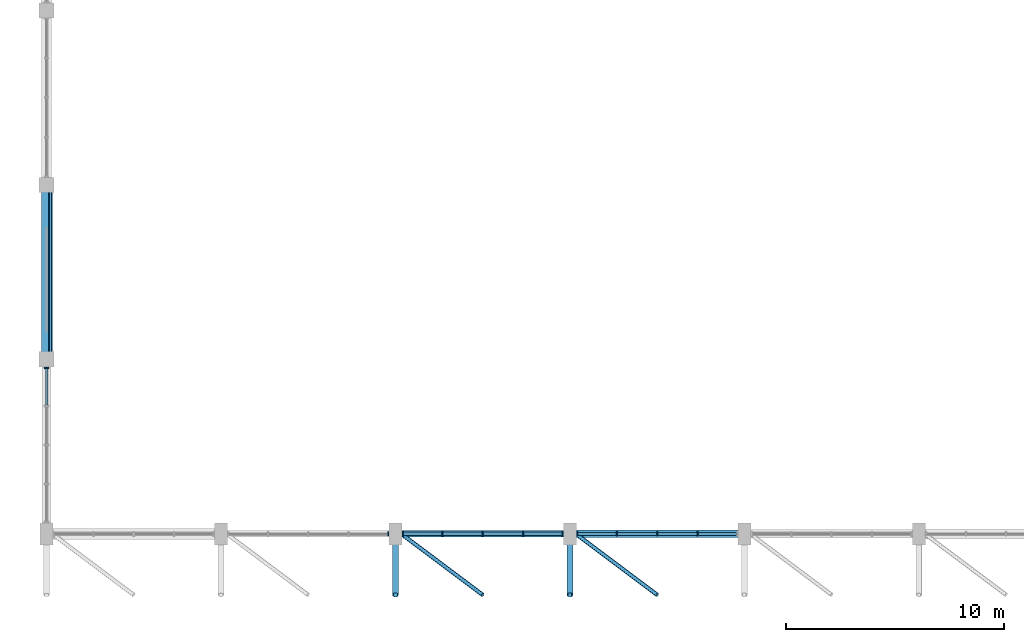
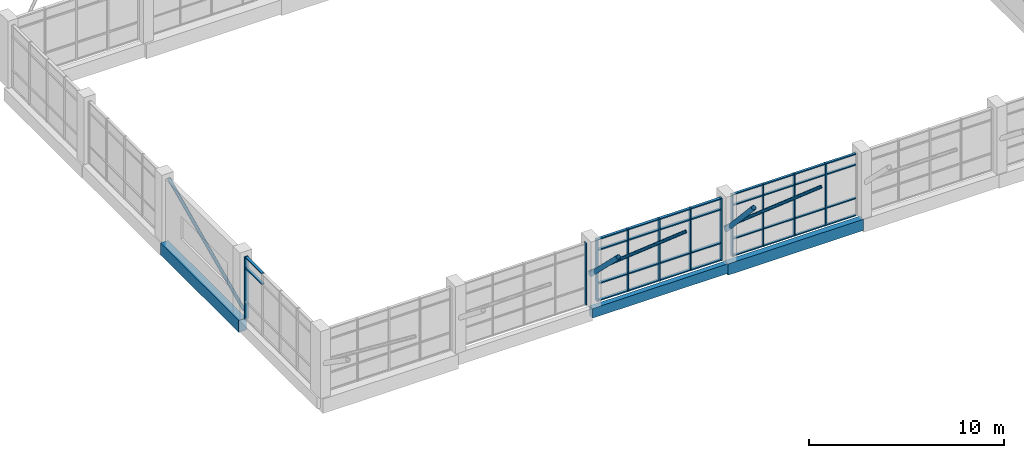
# One storey, part 3 of 44: 50 members, 3 beams, 4 elements without a shape of their own.
"""IFC4 building model written with IfcOpenShell, lengths in metres."""

from ifc_helpers import new_model, si_unit, direction, frame, origin, origin_2d, place, context, subcontext, project, spatial, rectangle, hollow_circle, extrude, material, material_profile, profile_set, type_object, element, aggregate, save


model = new_model("IFC4")

# Units and contexts
model_context = context("Model", 3, precision=1e-05, world=origin(), true_north=direction((0.0, 1.0)))
body_context = subcontext(model_context, "Body", "Model", "MODEL_VIEW")
ifc_project = project(units=[si_unit("LENGTHUNIT", "METRE"), si_unit("AREAUNIT", "SQUARE_METRE"), si_unit("VOLUMEUNIT", "CUBIC_METRE"), si_unit("PLANEANGLEUNIT", "RADIAN"), si_unit("MASSUNIT", "GRAM", prefix="KILO")], contexts=[model_context])

# Site, building, storey
site_placement = place(None, origin())
site = spatial("IfcSite", under=ifc_project, at=site_placement, CompositionType="ELEMENT")
building_placement = place(site_placement, origin())
building = spatial("IfcBuilding", under=site, at=building_placement, Name="Tenunan Teduh Sports Hall", CompositionType="ELEMENT")
storey_placement = place(building_placement, frame((0.0, 0.0, 19.199951171875)))
storey = spatial("IfcBuildingStorey", under=building, at=storey_placement, Name="L04", CompositionType="ELEMENT", Elevation=19.199951171875)

# Beams
ifc_material_1 = material(Name="Concrete C40/50", Category="concrete")
ifc_material_profile_1 = material_profile(ifc_material_1, rectangle(XDim=0.300048828125, YDim=0.60009765625, at=origin_2d()), Name="RCB 300x600")
ifc_profile_set_1 = profile_set([ifc_material_profile_1], Name="Concrete C40/50")
beam_type_1 = type_object("IfcBeamType", Name="BM-RC-300x600", PredefinedType="BEAM", material=ifc_profile_set_1)
beam_1_placement = place(storey_placement, frame((22.0, 14.0, -0.570068359375), z_axis=(1.0, 0.0, 0.0), x_axis=(0.0, 1.0, 0.0)))
element("IfcBeam", 1, at=beam_1_placement, inside=storey, type_object=beam_type_1, Name="BM-B-03-L04-2012", PredefinedType="BEAM", context=body_context, shape_type="SweptSolid", body=[
    extrude(rectangle(XDim=0.300048828125, YDim=0.60009765625, at=origin_2d()), origin(), (0.0, 0.0, 1.0), 8.0),
])
ifc_material_2 = material(Name="Concrete C40/50", Category="concrete")
ifc_material_profile_2 = material_profile(ifc_material_2, rectangle(XDim=0.35009765625, YDim=0.699951171875, at=origin_2d()), Name="RCB 350x700")
ifc_profile_set_2 = profile_set([ifc_material_profile_2], Name="Concrete C40/50")
beam_type_2 = type_object("IfcBeamType", Name="BM-RC-350x700", PredefinedType="BEAM", material=ifc_profile_set_2)
beam_2_placement = place(storey_placement, frame((30.0, 14.0, -0.619873046875), z_axis=(1.0, 0.0, 0.0), x_axis=(0.0, 1.0, 0.0)))
element("IfcBeam", 2, at=beam_2_placement, inside=storey, type_object=beam_type_2, Name="BM-B-06-L04-2013", PredefinedType="BEAM", context=body_context, shape_type="SweptSolid", body=[
    extrude(rectangle(XDim=0.35009765625, YDim=0.699951171875, at=origin_2d()), origin(), (0.0, 0.0, 1.0), 8.0),
])
ifc_material_3 = material(Name="Concrete C40/50", Category="concrete")
ifc_material_profile_3 = material_profile(ifc_material_3, rectangle(XDim=0.449951171875, YDim=0.75, at=origin_2d()), Name="RCB 450x750")
ifc_profile_set_3 = profile_set([ifc_material_profile_3], Name="Concrete C40/50")
beam_type_3 = type_object("IfcBeamType", Name="BM-RC-450x750", PredefinedType="BEAM", material=ifc_profile_set_3)
beam_3_placement = place(storey_placement, frame((6.0, 22.0, -0.64501953125), z_axis=(0.0, 1.0, 0.0), x_axis=(-1.0, 0.0, 0.0)))
element("IfcBeam", 3, at=beam_3_placement, inside=storey, type_object=beam_type_3, Name="BM-B-11-L04-2065", PredefinedType="BEAM", context=body_context, shape_type="SweptSolid", body=[
    extrude(rectangle(XDim=0.449951171875, YDim=0.75, at=origin_2d()), origin(), (0.0, 0.0, 1.0), 8.0),
])

# Curtain wall, member
ifc_material_4 = material(Name="Anodised aluminium", Category="aluminium")
curtain_wall_type = type_object("IfcCurtainWallType", Name="CW-UNIT-2", PredefinedType="NOTDEFINED", material=ifc_material_4)
curtain_wall_1_placement = place(storey_placement, origin())
curtain_wall_1 = element("IfcCurtainWall", 4, at=curtain_wall_1_placement, inside=storey, type_object=curtain_wall_type, Name="CW-CWM-175-L04-094", PredefinedType="NOTDEFINED")
ifc_material_5 = material(Name="Anodised aluminium", Category="aluminium")
ifc_material_profile_4 = material_profile(ifc_material_5, rectangle(XDim=0.06494140625, YDim=0.175048828125, at=origin_2d()), Name="CWM 65x175")
ifc_profile_set_4 = profile_set([ifc_material_profile_4], Name="Anodised aluminium")
member_type_1 = type_object("IfcMemberType", Name="CWM-175", PredefinedType="MULLION", material=ifc_profile_set_4)
member_1_placement = place(storey_placement, frame((21.66748046875, 14.0, 0.0), z_axis=(0.0, 0.0, 1.0), x_axis=(1.0, 0.0, 0.0)))
member_1 = element("IfcMember", 5, at=member_1_placement, type_object=member_type_1, Name="CW-02 mullion 5", PredefinedType="MULLION", context=body_context, shape_type="SweptSolid", body=[
    extrude(rectangle(XDim=0.06494140625, YDim=0.175048828125, at=origin_2d()), origin(), (0.0, 0.0, 1.0), 3.900146484375),
])
aggregate(curtain_wall_1, [member_1])

# Curtain wall, members
curtain_wall_2_placement = place(storey_placement, origin())
curtain_wall_2 = element("IfcCurtainWall", 6, at=curtain_wall_2_placement, inside=storey, type_object=curtain_wall_type, Name="CW-CWM-175-L04-098", PredefinedType="NOTDEFINED")
member_2_placement = place(storey_placement, frame((30.33251953125, 14.0, 0.0), z_axis=(0.0, 0.0, 1.0), x_axis=(1.0, 0.0, 0.0)))
member_2 = element("IfcMember", 7, at=member_2_placement, type_object=member_type_1, Name="CW-02 mullion 1", PredefinedType="MULLION", context=body_context, shape_type="SweptSolid", body=[
    extrude(rectangle(XDim=0.06494140625, YDim=0.175048828125, at=origin_2d()), origin(), (0.0, 0.0, 1.0), 3.900146484375),
])
member_3_placement = place(storey_placement, frame((32.14990234375, 14.0, 0.0), z_axis=(0.0, 0.0, 1.0), x_axis=(1.0, 0.0, 0.0)))
member_3 = element("IfcMember", 8, at=member_3_placement, type_object=member_type_1, Name="CW-02 mullion 2", PredefinedType="MULLION", context=body_context, shape_type="SweptSolid", body=[
    extrude(rectangle(XDim=0.06494140625, YDim=0.175048828125, at=origin_2d()), origin(), (0.0, 0.0, 1.0), 3.900146484375),
])
member_4_placement = place(storey_placement, frame((34.0, 14.0, 0.0), z_axis=(0.0, 0.0, 1.0), x_axis=(1.0, 0.0, 0.0)))
member_4 = element("IfcMember", 9, at=member_4_placement, type_object=member_type_1, Name="CW-02 mullion 3", PredefinedType="MULLION", context=body_context, shape_type="SweptSolid", body=[
    extrude(rectangle(XDim=0.06494140625, YDim=0.175048828125, at=origin_2d()), origin(), (0.0, 0.0, 1.0), 3.900146484375),
])
member_5_placement = place(storey_placement, frame((35.85009765625, 14.0, 0.0), z_axis=(0.0, 0.0, 1.0), x_axis=(1.0, 0.0, 0.0)))
member_5 = element("IfcMember", 10, at=member_5_placement, type_object=member_type_1, Name="CW-02 mullion 4", PredefinedType="MULLION", context=body_context, shape_type="SweptSolid", body=[
    extrude(rectangle(XDim=0.06494140625, YDim=0.175048828125, at=origin_2d()), origin(), (0.0, 0.0, 1.0), 3.900146484375),
])

curtain_wall_3_placement = place(storey_placement, origin())
curtain_wall_3 = element("IfcCurtainWall", 11, at=curtain_wall_3_placement, inside=storey, type_object=curtain_wall_type, Name="CW-CWM-200-L04-096", PredefinedType="NOTDEFINED")
ifc_material_6 = material(Name="Anodised aluminium", Category="aluminium")
ifc_material_profile_5 = material_profile(ifc_material_6, rectangle(XDim=0.070068359375, YDim=0.199951171875, at=origin_2d()), Name="CWM 70x200")
ifc_profile_set_5 = profile_set([ifc_material_profile_5], Name="Anodised aluminium")
member_type_2 = type_object("IfcMemberType", Name="CWM-200", PredefinedType="MULLION", material=ifc_profile_set_5)
member_6_placement = place(storey_placement, frame((22.3349609375, 14.0, 0.0), z_axis=(0.0, 0.0, 1.0), x_axis=(1.0, 0.0, 0.0)))
member_6 = element("IfcMember", 12, at=member_6_placement, type_object=member_type_2, Name="CW-02 mullion 1", PredefinedType="MULLION", context=body_context, shape_type="SweptSolid", body=[
    extrude(rectangle(XDim=0.070068359375, YDim=0.199951171875, at=origin_2d()), origin(), (0.0, 0.0, 1.0), 3.900146484375),
])
member_7_placement = place(storey_placement, frame((24.14990234375, 14.0, 0.0), z_axis=(0.0, 0.0, 1.0), x_axis=(1.0, 0.0, 0.0)))
member_7 = element("IfcMember", 13, at=member_7_placement, type_object=member_type_2, Name="CW-02 mullion 2", PredefinedType="MULLION", context=body_context, shape_type="SweptSolid", body=[
    extrude(rectangle(XDim=0.070068359375, YDim=0.199951171875, at=origin_2d()), origin(), (0.0, 0.0, 1.0), 3.900146484375),
])
member_8_placement = place(storey_placement, frame((26.0, 14.0, 0.0), z_axis=(0.0, 0.0, 1.0), x_axis=(1.0, 0.0, 0.0)))
member_8 = element("IfcMember", 14, at=member_8_placement, type_object=member_type_2, Name="CW-02 mullion 3", PredefinedType="MULLION", context=body_context, shape_type="SweptSolid", body=[
    extrude(rectangle(XDim=0.070068359375, YDim=0.199951171875, at=origin_2d()), origin(), (0.0, 0.0, 1.0), 3.900146484375),
])
member_9_placement = place(storey_placement, frame((27.85009765625, 14.0, 0.0), z_axis=(0.0, 0.0, 1.0), x_axis=(1.0, 0.0, 0.0)))
member_9 = element("IfcMember", 15, at=member_9_placement, type_object=member_type_2, Name="CW-02 mullion 4", PredefinedType="MULLION", context=body_context, shape_type="SweptSolid", body=[
    extrude(rectangle(XDim=0.070068359375, YDim=0.199951171875, at=origin_2d()), origin(), (0.0, 0.0, 1.0), 3.900146484375),
])
member_10_placement = place(storey_placement, frame((29.6650390625, 14.0, 0.0), z_axis=(0.0, 0.0, 1.0), x_axis=(1.0, 0.0, 0.0)))
member_10 = element("IfcMember", 16, at=member_10_placement, type_object=member_type_2, Name="CW-02 mullion 5", PredefinedType="MULLION", context=body_context, shape_type="SweptSolid", body=[
    extrude(rectangle(XDim=0.070068359375, YDim=0.199951171875, at=origin_2d()), origin(), (0.0, 0.0, 1.0), 3.900146484375),
])

# Curtain wall, member
curtain_wall_4_placement = place(storey_placement, origin())
curtain_wall_4 = element("IfcCurtainWall", 17, at=curtain_wall_4_placement, inside=storey, type_object=curtain_wall_type, Name="CW-CWM-200-L04-104", PredefinedType="NOTDEFINED")
member_11_placement = place(storey_placement, frame((6.0, 21.614990234375, 0.0), z_axis=(0.0, 0.0, 1.0), x_axis=(0.0, 1.0, 0.0)))
member_11 = element("IfcMember", 18, at=member_11_placement, type_object=member_type_2, Name="CW-02 mullion 5", PredefinedType="MULLION", context=body_context, shape_type="SweptSolid", body=[
    extrude(rectangle(XDim=0.070068359375, YDim=0.199951171875, at=origin_2d()), origin(), (0.0, 0.0, 1.0), 3.900146484375),
])

# Member
ifc_material_7 = material(Name="Anodised aluminium", Category="aluminium")
ifc_material_profile_6 = material_profile(ifc_material_7, rectangle(XDim=0.06494140625, YDim=0.139892578125, at=origin_2d()), Name="CWT 65x140")
ifc_profile_set_6 = profile_set([ifc_material_profile_6], Name="Anodised aluminium")
member_type_3 = type_object("IfcMemberType", Name="CWT-150", PredefinedType="USERDEFINED", material=ifc_profile_set_6)
member_12_placement = place(storey_placement, frame((30.364990234375, 14.0, 0.032470703125), z_axis=(1.0, 0.0, 0.0), x_axis=(0.0, 0.0, 1.0)))
member_12 = element("IfcMember", 19, at=member_12_placement, type_object=member_type_3, Name="CW-02 transom 1.1", ObjectType="TRANSOM", PredefinedType="USERDEFINED", context=body_context, shape_type="SweptSolid", body=[
    extrude(rectangle(XDim=0.06494140625, YDim=0.139892578125, at=origin_2d()), origin(), (0.0, 0.0, 1.0), 1.75244140625),
])

member_13_placement = place(storey_placement, frame((30.364990234375, 14.0, 1.10009765625), z_axis=(1.0, 0.0, 0.0), x_axis=(0.0, 0.0, 1.0)))
member_13 = element("IfcMember", 20, at=member_13_placement, type_object=member_type_3, Name="CW-02 transom 1.2", ObjectType="TRANSOM", PredefinedType="USERDEFINED", context=body_context, shape_type="SweptSolid", body=[
    extrude(rectangle(XDim=0.06494140625, YDim=0.139892578125, at=origin_2d()), origin(), (0.0, 0.0, 1.0), 1.75244140625),
])

member_14_placement = place(storey_placement, frame((30.364990234375, 14.0, 3.199951171875), z_axis=(1.0, 0.0, 0.0), x_axis=(0.0, 0.0, 1.0)))
member_14 = element("IfcMember", 21, at=member_14_placement, type_object=member_type_3, Name="CW-02 transom 1.3", ObjectType="TRANSOM", PredefinedType="USERDEFINED", context=body_context, shape_type="SweptSolid", body=[
    extrude(rectangle(XDim=0.06494140625, YDim=0.139892578125, at=origin_2d()), origin(), (0.0, 0.0, 1.0), 1.75244140625),
])

member_15_placement = place(storey_placement, frame((30.364990234375, 14.0, 3.867431640625), z_axis=(1.0, 0.0, 0.0), x_axis=(0.0, 0.0, 1.0)))
member_15 = element("IfcMember", 22, at=member_15_placement, type_object=member_type_3, Name="CW-02 transom 1.4", ObjectType="TRANSOM", PredefinedType="USERDEFINED", context=body_context, shape_type="SweptSolid", body=[
    extrude(rectangle(XDim=0.06494140625, YDim=0.139892578125, at=origin_2d()), origin(), (0.0, 0.0, 1.0), 1.75244140625),
])

member_16_placement = place(storey_placement, frame((32.1826171875, 14.0, 0.032470703125), z_axis=(1.0, 0.0, 0.0), x_axis=(0.0, 0.0, 1.0)))
member_16 = element("IfcMember", 23, at=member_16_placement, type_object=member_type_3, Name="CW-02 transom 2.1", ObjectType="TRANSOM", PredefinedType="USERDEFINED", context=body_context, shape_type="SweptSolid", body=[
    extrude(rectangle(XDim=0.06494140625, YDim=0.139892578125, at=origin_2d()), origin(), (0.0, 0.0, 1.0), 1.784912109375),
])

member_17_placement = place(storey_placement, frame((32.1826171875, 14.0, 1.10009765625), z_axis=(1.0, 0.0, 0.0), x_axis=(0.0, 0.0, 1.0)))
member_17 = element("IfcMember", 24, at=member_17_placement, type_object=member_type_3, Name="CW-02 transom 2.2", ObjectType="TRANSOM", PredefinedType="USERDEFINED", context=body_context, shape_type="SweptSolid", body=[
    extrude(rectangle(XDim=0.06494140625, YDim=0.139892578125, at=origin_2d()), origin(), (0.0, 0.0, 1.0), 1.784912109375),
])

member_18_placement = place(storey_placement, frame((32.1826171875, 14.0, 3.199951171875), z_axis=(1.0, 0.0, 0.0), x_axis=(0.0, 0.0, 1.0)))
member_18 = element("IfcMember", 25, at=member_18_placement, type_object=member_type_3, Name="CW-02 transom 2.3", ObjectType="TRANSOM", PredefinedType="USERDEFINED", context=body_context, shape_type="SweptSolid", body=[
    extrude(rectangle(XDim=0.06494140625, YDim=0.139892578125, at=origin_2d()), origin(), (0.0, 0.0, 1.0), 1.784912109375),
])

member_19_placement = place(storey_placement, frame((32.1826171875, 14.0, 3.867431640625), z_axis=(1.0, 0.0, 0.0), x_axis=(0.0, 0.0, 1.0)))
member_19 = element("IfcMember", 26, at=member_19_placement, type_object=member_type_3, Name="CW-02 transom 2.4", ObjectType="TRANSOM", PredefinedType="USERDEFINED", context=body_context, shape_type="SweptSolid", body=[
    extrude(rectangle(XDim=0.06494140625, YDim=0.139892578125, at=origin_2d()), origin(), (0.0, 0.0, 1.0), 1.784912109375),
])

member_20_placement = place(storey_placement, frame((34.032470703125, 14.0, 0.032470703125), z_axis=(1.0, 0.0, 0.0), x_axis=(0.0, 0.0, 1.0)))
member_20 = element("IfcMember", 27, at=member_20_placement, type_object=member_type_3, Name="CW-02 transom 3.1", ObjectType="TRANSOM", PredefinedType="USERDEFINED", context=body_context, shape_type="SweptSolid", body=[
    extrude(rectangle(XDim=0.06494140625, YDim=0.139892578125, at=origin_2d()), origin(), (0.0, 0.0, 1.0), 1.784912109375),
])

member_21_placement = place(storey_placement, frame((34.032470703125, 14.0, 1.10009765625), z_axis=(1.0, 0.0, 0.0), x_axis=(0.0, 0.0, 1.0)))
member_21 = element("IfcMember", 28, at=member_21_placement, type_object=member_type_3, Name="CW-02 transom 3.2", ObjectType="TRANSOM", PredefinedType="USERDEFINED", context=body_context, shape_type="SweptSolid", body=[
    extrude(rectangle(XDim=0.06494140625, YDim=0.139892578125, at=origin_2d()), origin(), (0.0, 0.0, 1.0), 1.784912109375),
])

member_22_placement = place(storey_placement, frame((34.032470703125, 14.0, 3.199951171875), z_axis=(1.0, 0.0, 0.0), x_axis=(0.0, 0.0, 1.0)))
member_22 = element("IfcMember", 29, at=member_22_placement, type_object=member_type_3, Name="CW-02 transom 3.3", ObjectType="TRANSOM", PredefinedType="USERDEFINED", context=body_context, shape_type="SweptSolid", body=[
    extrude(rectangle(XDim=0.06494140625, YDim=0.139892578125, at=origin_2d()), origin(), (0.0, 0.0, 1.0), 1.784912109375),
])

member_23_placement = place(storey_placement, frame((34.032470703125, 14.0, 3.867431640625), z_axis=(1.0, 0.0, 0.0), x_axis=(0.0, 0.0, 1.0)))
member_23 = element("IfcMember", 30, at=member_23_placement, type_object=member_type_3, Name="CW-02 transom 3.4", ObjectType="TRANSOM", PredefinedType="USERDEFINED", context=body_context, shape_type="SweptSolid", body=[
    extrude(rectangle(XDim=0.06494140625, YDim=0.139892578125, at=origin_2d()), origin(), (0.0, 0.0, 1.0), 1.784912109375),
])

member_24_placement = place(storey_placement, frame((35.882568359375, 14.0, 0.032470703125), z_axis=(1.0, 0.0, 0.0), x_axis=(0.0, 0.0, 1.0)))
member_24 = element("IfcMember", 31, at=member_24_placement, type_object=member_type_3, Name="CW-02 transom 4.1", ObjectType="TRANSOM", PredefinedType="USERDEFINED", context=body_context, shape_type="SweptSolid", body=[
    extrude(rectangle(XDim=0.06494140625, YDim=0.139892578125, at=origin_2d()), origin(), (0.0, 0.0, 1.0), 1.75244140625),
])

member_25_placement = place(storey_placement, frame((35.882568359375, 14.0, 1.10009765625), z_axis=(1.0, 0.0, 0.0), x_axis=(0.0, 0.0, 1.0)))
member_25 = element("IfcMember", 32, at=member_25_placement, type_object=member_type_3, Name="CW-02 transom 4.2", ObjectType="TRANSOM", PredefinedType="USERDEFINED", context=body_context, shape_type="SweptSolid", body=[
    extrude(rectangle(XDim=0.06494140625, YDim=0.139892578125, at=origin_2d()), origin(), (0.0, 0.0, 1.0), 1.75244140625),
])

member_26_placement = place(storey_placement, frame((35.882568359375, 14.0, 3.199951171875), z_axis=(1.0, 0.0, 0.0), x_axis=(0.0, 0.0, 1.0)))
member_26 = element("IfcMember", 33, at=member_26_placement, type_object=member_type_3, Name="CW-02 transom 4.3", ObjectType="TRANSOM", PredefinedType="USERDEFINED", context=body_context, shape_type="SweptSolid", body=[
    extrude(rectangle(XDim=0.06494140625, YDim=0.139892578125, at=origin_2d()), origin(), (0.0, 0.0, 1.0), 1.75244140625),
])

member_27_placement = place(storey_placement, frame((35.882568359375, 14.0, 3.867431640625), z_axis=(1.0, 0.0, 0.0), x_axis=(0.0, 0.0, 1.0)))
member_27 = element("IfcMember", 34, at=member_27_placement, type_object=member_type_3, Name="CW-02 transom 4.4", ObjectType="TRANSOM", PredefinedType="USERDEFINED", context=body_context, shape_type="SweptSolid", body=[
    extrude(rectangle(XDim=0.06494140625, YDim=0.139892578125, at=origin_2d()), origin(), (0.0, 0.0, 1.0), 1.75244140625),
])

aggregate(curtain_wall_2, [member_2, member_3, member_4, member_5, member_12, member_13, member_14, member_15, member_16, member_17, member_18, member_19, member_20, member_21, member_22, member_23, member_24, member_25, member_26, member_27])

ifc_material_8 = material(Name="Anodised aluminium", Category="aluminium")
ifc_material_profile_7 = material_profile(ifc_material_8, rectangle(XDim=0.070068359375, YDim=0.159912109375, at=origin_2d()), Name="CWT 70x160")
ifc_profile_set_7 = profile_set([ifc_material_profile_7], Name="Anodised aluminium")
member_type_4 = type_object("IfcMemberType", Name="CWT-200", PredefinedType="USERDEFINED", material=ifc_profile_set_7)
member_28_placement = place(storey_placement, frame((22.3701171875, 14.0, 0.03515625), z_axis=(1.0, 0.0, 0.0), x_axis=(0.0, 0.0, 1.0)))
member_28 = element("IfcMember", 35, at=member_28_placement, type_object=member_type_4, Name="CW-02 transom 1.1", ObjectType="TRANSOM", PredefinedType="USERDEFINED", context=body_context, shape_type="SweptSolid", body=[
    extrude(rectangle(XDim=0.070068359375, YDim=0.159912109375, at=origin_2d()), origin(), (0.0, 0.0, 1.0), 1.744873046875),
])

member_29_placement = place(storey_placement, frame((22.3701171875, 14.0, 1.10009765625), z_axis=(1.0, 0.0, 0.0), x_axis=(0.0, 0.0, 1.0)))
member_29 = element("IfcMember", 36, at=member_29_placement, type_object=member_type_4, Name="CW-02 transom 1.2", ObjectType="TRANSOM", PredefinedType="USERDEFINED", context=body_context, shape_type="SweptSolid", body=[
    extrude(rectangle(XDim=0.070068359375, YDim=0.159912109375, at=origin_2d()), origin(), (0.0, 0.0, 1.0), 1.744873046875),
])

member_30_placement = place(storey_placement, frame((22.3701171875, 14.0, 3.199951171875), z_axis=(1.0, 0.0, 0.0), x_axis=(0.0, 0.0, 1.0)))
member_30 = element("IfcMember", 37, at=member_30_placement, type_object=member_type_4, Name="CW-02 transom 1.3", ObjectType="TRANSOM", PredefinedType="USERDEFINED", context=body_context, shape_type="SweptSolid", body=[
    extrude(rectangle(XDim=0.070068359375, YDim=0.159912109375, at=origin_2d()), origin(), (0.0, 0.0, 1.0), 1.744873046875),
])

member_31_placement = place(storey_placement, frame((22.3701171875, 14.0, 3.864990234375), z_axis=(1.0, 0.0, 0.0), x_axis=(0.0, 0.0, 1.0)))
member_31 = element("IfcMember", 38, at=member_31_placement, type_object=member_type_4, Name="CW-02 transom 1.4", ObjectType="TRANSOM", PredefinedType="USERDEFINED", context=body_context, shape_type="SweptSolid", body=[
    extrude(rectangle(XDim=0.070068359375, YDim=0.159912109375, at=origin_2d()), origin(), (0.0, 0.0, 1.0), 1.744873046875),
])

member_32_placement = place(storey_placement, frame((24.18505859375, 14.0, 0.03515625), z_axis=(1.0, 0.0, 0.0), x_axis=(0.0, 0.0, 1.0)))
member_32 = element("IfcMember", 39, at=member_32_placement, type_object=member_type_4, Name="CW-02 transom 2.1", ObjectType="TRANSOM", PredefinedType="USERDEFINED", context=body_context, shape_type="SweptSolid", body=[
    extrude(rectangle(XDim=0.070068359375, YDim=0.159912109375, at=origin_2d()), origin(), (0.0, 0.0, 1.0), 1.780029296875),
])

member_33_placement = place(storey_placement, frame((24.18505859375, 14.0, 1.10009765625), z_axis=(1.0, 0.0, 0.0), x_axis=(0.0, 0.0, 1.0)))
member_33 = element("IfcMember", 40, at=member_33_placement, type_object=member_type_4, Name="CW-02 transom 2.2", ObjectType="TRANSOM", PredefinedType="USERDEFINED", context=body_context, shape_type="SweptSolid", body=[
    extrude(rectangle(XDim=0.070068359375, YDim=0.159912109375, at=origin_2d()), origin(), (0.0, 0.0, 1.0), 1.780029296875),
])

member_34_placement = place(storey_placement, frame((24.18505859375, 14.0, 3.199951171875), z_axis=(1.0, 0.0, 0.0), x_axis=(0.0, 0.0, 1.0)))
member_34 = element("IfcMember", 41, at=member_34_placement, type_object=member_type_4, Name="CW-02 transom 2.3", ObjectType="TRANSOM", PredefinedType="USERDEFINED", context=body_context, shape_type="SweptSolid", body=[
    extrude(rectangle(XDim=0.070068359375, YDim=0.159912109375, at=origin_2d()), origin(), (0.0, 0.0, 1.0), 1.780029296875),
])

member_35_placement = place(storey_placement, frame((24.18505859375, 14.0, 3.864990234375), z_axis=(1.0, 0.0, 0.0), x_axis=(0.0, 0.0, 1.0)))
member_35 = element("IfcMember", 42, at=member_35_placement, type_object=member_type_4, Name="CW-02 transom 2.4", ObjectType="TRANSOM", PredefinedType="USERDEFINED", context=body_context, shape_type="SweptSolid", body=[
    extrude(rectangle(XDim=0.070068359375, YDim=0.159912109375, at=origin_2d()), origin(), (0.0, 0.0, 1.0), 1.780029296875),
])

member_36_placement = place(storey_placement, frame((26.034912109375, 14.0, 0.03515625), z_axis=(1.0, 0.0, 0.0), x_axis=(0.0, 0.0, 1.0)))
member_36 = element("IfcMember", 43, at=member_36_placement, type_object=member_type_4, Name="CW-02 transom 3.1", ObjectType="TRANSOM", PredefinedType="USERDEFINED", context=body_context, shape_type="SweptSolid", body=[
    extrude(rectangle(XDim=0.070068359375, YDim=0.159912109375, at=origin_2d()), origin(), (0.0, 0.0, 1.0), 1.780029296875),
])

member_37_placement = place(storey_placement, frame((26.034912109375, 14.0, 1.10009765625), z_axis=(1.0, 0.0, 0.0), x_axis=(0.0, 0.0, 1.0)))
member_37 = element("IfcMember", 44, at=member_37_placement, type_object=member_type_4, Name="CW-02 transom 3.2", ObjectType="TRANSOM", PredefinedType="USERDEFINED", context=body_context, shape_type="SweptSolid", body=[
    extrude(rectangle(XDim=0.070068359375, YDim=0.159912109375, at=origin_2d()), origin(), (0.0, 0.0, 1.0), 1.780029296875),
])

member_38_placement = place(storey_placement, frame((26.034912109375, 14.0, 3.199951171875), z_axis=(1.0, 0.0, 0.0), x_axis=(0.0, 0.0, 1.0)))
member_38 = element("IfcMember", 45, at=member_38_placement, type_object=member_type_4, Name="CW-02 transom 3.3", ObjectType="TRANSOM", PredefinedType="USERDEFINED", context=body_context, shape_type="SweptSolid", body=[
    extrude(rectangle(XDim=0.070068359375, YDim=0.159912109375, at=origin_2d()), origin(), (0.0, 0.0, 1.0), 1.780029296875),
])

member_39_placement = place(storey_placement, frame((26.034912109375, 14.0, 3.864990234375), z_axis=(1.0, 0.0, 0.0), x_axis=(0.0, 0.0, 1.0)))
member_39 = element("IfcMember", 46, at=member_39_placement, type_object=member_type_4, Name="CW-02 transom 3.4", ObjectType="TRANSOM", PredefinedType="USERDEFINED", context=body_context, shape_type="SweptSolid", body=[
    extrude(rectangle(XDim=0.070068359375, YDim=0.159912109375, at=origin_2d()), origin(), (0.0, 0.0, 1.0), 1.780029296875),
])

member_40_placement = place(storey_placement, frame((27.885009765625, 14.0, 0.03515625), z_axis=(1.0, 0.0, 0.0), x_axis=(0.0, 0.0, 1.0)))
member_40 = element("IfcMember", 47, at=member_40_placement, type_object=member_type_4, Name="CW-02 transom 4.1", ObjectType="TRANSOM", PredefinedType="USERDEFINED", context=body_context, shape_type="SweptSolid", body=[
    extrude(rectangle(XDim=0.070068359375, YDim=0.159912109375, at=origin_2d()), origin(), (0.0, 0.0, 1.0), 1.744873046875),
])

member_41_placement = place(storey_placement, frame((27.885009765625, 14.0, 1.10009765625), z_axis=(1.0, 0.0, 0.0), x_axis=(0.0, 0.0, 1.0)))
member_41 = element("IfcMember", 48, at=member_41_placement, type_object=member_type_4, Name="CW-02 transom 4.2", ObjectType="TRANSOM", PredefinedType="USERDEFINED", context=body_context, shape_type="SweptSolid", body=[
    extrude(rectangle(XDim=0.070068359375, YDim=0.159912109375, at=origin_2d()), origin(), (0.0, 0.0, 1.0), 1.744873046875),
])

member_42_placement = place(storey_placement, frame((27.885009765625, 14.0, 3.199951171875), z_axis=(1.0, 0.0, 0.0), x_axis=(0.0, 0.0, 1.0)))
member_42 = element("IfcMember", 49, at=member_42_placement, type_object=member_type_4, Name="CW-02 transom 4.3", ObjectType="TRANSOM", PredefinedType="USERDEFINED", context=body_context, shape_type="SweptSolid", body=[
    extrude(rectangle(XDim=0.070068359375, YDim=0.159912109375, at=origin_2d()), origin(), (0.0, 0.0, 1.0), 1.744873046875),
])

member_43_placement = place(storey_placement, frame((27.885009765625, 14.0, 3.864990234375), z_axis=(1.0, 0.0, 0.0), x_axis=(0.0, 0.0, 1.0)))
member_43 = element("IfcMember", 50, at=member_43_placement, type_object=member_type_4, Name="CW-02 transom 4.4", ObjectType="TRANSOM", PredefinedType="USERDEFINED", context=body_context, shape_type="SweptSolid", body=[
    extrude(rectangle(XDim=0.070068359375, YDim=0.159912109375, at=origin_2d()), origin(), (0.0, 0.0, 1.0), 1.744873046875),
])

aggregate(curtain_wall_3, [member_6, member_7, member_8, member_9, member_10, member_28, member_29, member_30, member_31, member_32, member_33, member_34, member_35, member_36, member_37, member_38, member_39, member_40, member_41, member_42, member_43])

member_44_placement = place(storey_placement, frame((6.0, 19.8974609375, 3.199951171875), z_axis=(0.0, 1.0, 0.0), x_axis=(0.0, 0.0, 1.0)))
member_44 = element("IfcMember", 51, at=member_44_placement, type_object=member_type_4, Name="CW-02 transom 4.3", ObjectType="TRANSOM", PredefinedType="USERDEFINED", context=body_context, shape_type="SweptSolid", body=[
    extrude(rectangle(XDim=0.070068359375, YDim=0.159912109375, at=origin_2d()), origin(), (0.0, 0.0, 1.0), 1.6826171875),
])

member_45_placement = place(storey_placement, frame((6.0, 19.8974609375, 3.864990234375), z_axis=(0.0, 1.0, 0.0), x_axis=(0.0, 0.0, 1.0)))
member_45 = element("IfcMember", 52, at=member_45_placement, type_object=member_type_4, Name="CW-02 transom 4.4", ObjectType="TRANSOM", PredefinedType="USERDEFINED", context=body_context, shape_type="SweptSolid", body=[
    extrude(rectangle(XDim=0.070068359375, YDim=0.159912109375, at=origin_2d()), origin(), (0.0, 0.0, 1.0), 1.6826171875),
])

aggregate(curtain_wall_4, [member_11, member_44, member_45])

# Members
ifc_material_9 = material(Name="Steel S355", Category="steel")
ifc_material_profile_8 = material_profile(ifc_material_9, hollow_circle(Radius=0.096923828125, WallThickness=0.008056640625, at=origin_2d()), Name="CHS 193.7x8.0")
ifc_profile_set_8 = profile_set([ifc_material_profile_8], Name="Steel S355")
member_type_5 = type_object("IfcMemberType", Name="MEM-BR-CHS194", PredefinedType="BRACE", material=ifc_profile_set_8)
for number, where, z_axis, x_axis, name in (
    (53, (22.0, 14.199951171875, 1.800048828125), (0.687854304941, -0.515890728706, 0.510600833538), (0.6, 0.8, 0.0), "MEM-GD-03-L04-0450"),
    (54, (30.0, 14.199951171875, 1.800048828125), (0.687854304941, -0.515890728706, 0.510600833538), (0.6, 0.8, 0.0), "MEM-GD-03-L04-0466"),
):
    element("IfcMember", number, at=place(storey_placement, frame(where, z_axis=z_axis, x_axis=x_axis)), inside=storey, type_object=member_type_5, Name=name, PredefinedType="BRACE", context=body_context, shape_type="SweptSolid", body=[
        extrude(hollow_circle(Radius=0.096923828125, WallThickness=0.008056640625, at=origin_2d()), origin(), (0.0, 0.0, 1.0), 5.815185546875),
    ])
member_46_placement = place(storey_placement, frame((6.179931640625, 22.14990234375, 0.150146484375), z_axis=(0.0, 0.908144697219, 0.418656433024), x_axis=(-1.0, 0.0, 0.0)))
element("IfcMember", 55, at=member_46_placement, inside=storey, type_object=member_type_5, Name="MEM-GD-03-L04-1448", PredefinedType="BRACE", context=body_context, shape_type="SweptSolid", body=[
    extrude(hollow_circle(Radius=0.096923828125, WallThickness=0.008056640625, at=origin_2d()), origin(), (0.0, 0.0, 1.0), 8.47900390625),
])
ifc_material_10 = material(Name="Steel S355", Category="steel")
ifc_material_profile_9 = material_profile(ifc_material_10, hollow_circle(Radius=0.136474609375, WallThickness=0.010009765625, at=origin_2d()), Name="CHS 273.0x10.0")
ifc_profile_set_9 = profile_set([ifc_material_profile_9], Name="Steel S355")
member_type_6 = type_object("IfcMemberType", Name="MEM-ST-CHS273", PredefinedType="STRUT", material=ifc_profile_set_9)
member_47_placement = place(storey_placement, frame((22.0, 14.0, 1.800048828125), z_axis=(0.0, -0.711404619059, 0.702782660558), x_axis=(1.0, 0.0, 0.0)))
element("IfcMember", 56, at=member_47_placement, inside=storey, type_object=member_type_6, Name="MEM-VS-04-L04-0442", PredefinedType="STRUT", context=body_context, shape_type="SweptSolid", body=[
    extrude(hollow_circle(Radius=0.136474609375, WallThickness=0.010009765625, at=origin_2d()), origin(), (0.0, 0.0, 1.0), 3.93603515625),
])
member_48_placement = place(storey_placement, frame((30.0, 14.0, 1.800048828125), z_axis=(0.0, -0.677065483127, 0.73592277554), x_axis=(1.0, 0.0, 0.0)))
element("IfcMember", 57, at=member_48_placement, inside=storey, type_object=member_type_6, Name="MEM-VS-04-L04-0458", PredefinedType="STRUT", context=body_context, shape_type="SweptSolid", body=[
    extrude(hollow_circle(Radius=0.136474609375, WallThickness=0.010009765625, at=origin_2d()), origin(), (0.0, 0.0, 1.0), 4.135498046875),
])

save(model, "model.ifc")
